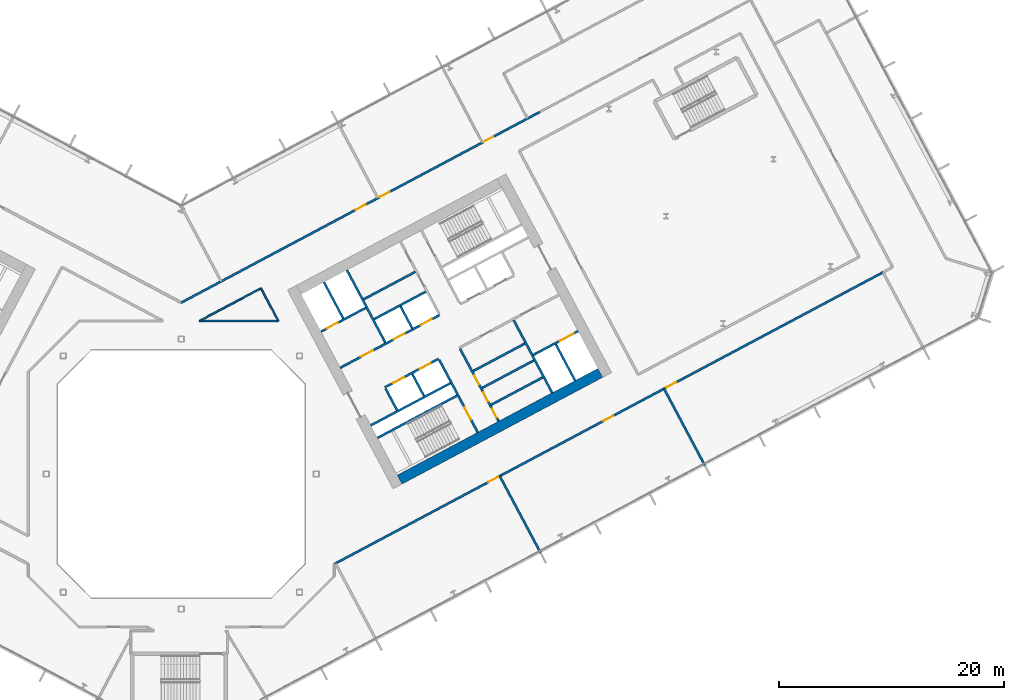
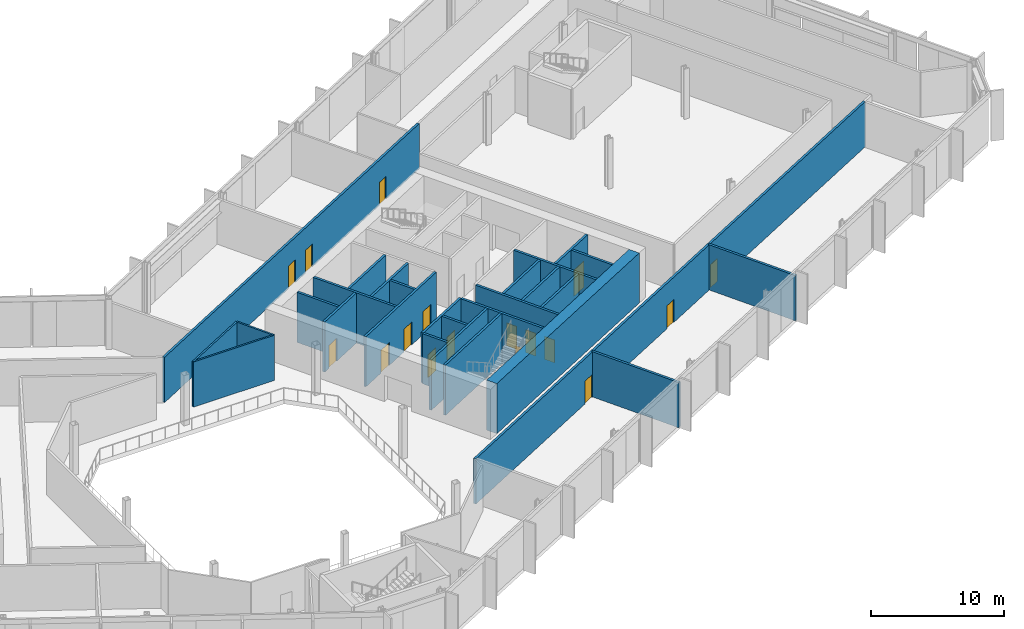
# One storey, part 17 of 31: 28 walls, 17 doors, 17 openings.
"""IFC4 building model written with IfcOpenShell, lengths in metres."""

import ifcopenshell
import ifcopenshell.guid

model = None  # the IFC model being written
_history = None  # IfcOwnerHistory: only IFC2X3 demands one
_inside = {}  # id of a spatial element -> (the spatial element, [elements in it])
_under = {}  # id of a project, library or spatial element -> (it, [spatial elements below it])
_declared = {}  # id of a project -> (the project, [libraries it declares])
_typed = {}  # id of a type object -> (the type object, [elements of that type])
_made_of = {}  # id of a material, layer set ... -> (it, [elements and type objects made of it])


def new_model(schema):
    """Start an empty IFC model of exactly this schema.

    Asked for "IFC4X3", IfcOpenShell would pick the latest addendum, in which some entities
    have other attributes; the version numbers below select the first issue.
    IFC2X3 requires an IfcOwnerHistory on every rooted entity: one is made here for all.
    """
    global model, _history
    if schema == "IFC4X3":
        model = ifcopenshell.file(schema_version=(4, 3, 0, 0))
    else:
        model = ifcopenshell.file(schema=schema)
    _inside.clear()
    _under.clear()
    _declared.clear()
    _typed.clear()
    _made_of.clear()
    _history = None
    if model.schema == "IFC2X3":
        org = make("IfcOrganization", Name="unknown")
        user = make(
            "IfcPersonAndOrganization",
            ThePerson=make("IfcPerson", FamilyName="unknown"),
            TheOrganization=org,
        )
        app = make(
            "IfcApplication",
            ApplicationDeveloper=org,
            Version="unknown",
            ApplicationFullName="unknown",
            ApplicationIdentifier="unknown",
        )
        _history = make(
            "IfcOwnerHistory",
            OwningUser=user,
            OwningApplication=app,
            ChangeAction="ADDED",
            CreationDate=0,
        )
    return model


def make(cls, **values):
    """One entity of the class cls with the attributes given. An attribute that is None is left unset."""
    return model.create_entity(
        cls, **{name: value for name, value in values.items() if value is not None}
    )


def rooted(cls, **values):
    """An entity with a GlobalId (a new one), such as an element, a storey or a relation."""
    return make(cls, GlobalId=ifcopenshell.guid.new(), OwnerHistory=_history, **values)


def si_unit(unit_type, name, prefix=None):
    """IfcSIUnit, for example si_unit("LENGTHUNIT", "METRE", prefix="MILLI")."""
    return make("IfcSIUnit", UnitType=unit_type, Prefix=prefix, Name=name)


def assignment(units):
    """IfcUnitAssignment: the units of a project."""
    return None if units is None else make("IfcUnitAssignment", Units=units)


def point(xyz):
    """IfcCartesianPoint."""
    return None if xyz is None else make("IfcCartesianPoint", Coordinates=xyz)


def direction(xyz):
    """IfcDirection."""
    return None if xyz is None else make("IfcDirection", DirectionRatios=xyz)


def frame(location, z_axis=None, x_axis=None):
    """IfcAxis2Placement3D, a coordinate frame: its origin and axes. An axis left out is left unset."""
    return make(
        "IfcAxis2Placement3D",
        Location=point(location),
        Axis=direction(z_axis),
        RefDirection=direction(x_axis),
    )


def frame_2d(location, x_axis=None):
    """IfcAxis2Placement2D, a coordinate frame in the plane: its origin and x axis."""
    return make(
        "IfcAxis2Placement2D", Location=point(location), RefDirection=direction(x_axis)
    )


def origin():
    """The frame at (0, 0, 0) with its axes left unset."""
    return frame((0.0, 0.0, 0.0))


def place(relative_to, where):
    """IfcLocalPlacement: puts the frame where relative to a parent placement (None: the world)."""
    return make(
        "IfcLocalPlacement", PlacementRelTo=relative_to, RelativePlacement=where
    )


def context(
    kind, dimensions, precision=None, world=None, true_north=None, identifier=None
):
    """IfcGeometricRepresentationContext, for example the 3D "Model" context."""
    return make(
        "IfcGeometricRepresentationContext",
        ContextIdentifier=identifier,
        ContextType=kind,
        CoordinateSpaceDimension=dimensions,
        Precision=precision,
        WorldCoordinateSystem=world,
        TrueNorth=true_north,
    )


def subcontext(parent, identifier, kind, view, scale=None):
    """IfcGeometricRepresentationSubContext, for example "Body" below "Model"."""
    return make(
        "IfcGeometricRepresentationSubContext",
        ContextIdentifier=identifier,
        ContextType=kind,
        ParentContext=parent,
        TargetScale=scale,
        TargetView=view,
    )


def project(units=None, contexts=None):
    """IfcProject with its units and contexts."""
    return rooted(
        "IfcProject",
        Name="project",
        RepresentationContexts=contexts,
        UnitsInContext=assignment(units),
    )


def spatial(cls, under=None, at=None, **own):
    """A site, building, storey or space (cls), placed at a placement, below another one or the project."""
    s = rooted(cls, ObjectPlacement=at, **own)
    if under is not None:
        _under.setdefault(under.id(), (under, []))[1].append(s)
    return s


def profile(cls, at=None, kind="AREA", **sizes):
    """A parametric profile (cls). Its sizes go by their IFC names, for example OverallWidth=200.0."""
    return make(cls, ProfileType=kind, Position=at, **sizes)


def rectangle(**sizes):
    """IfcRectangleProfileDef."""
    return profile("IfcRectangleProfileDef", **sizes)


def extrude(swept, where, along, depth):
    """IfcExtrudedAreaSolid: the profile swept, set in the frame where, extruded along a direction by depth."""
    return make(
        "IfcExtrudedAreaSolid",
        SweptArea=swept,
        Position=where,
        ExtrudedDirection=direction(along),
        Depth=depth,
    )


def shape(context_of_items, identifier, shape_type, items):
    """IfcShapeRepresentation: the items that make up one representation, for example the "Body"."""
    return make(
        "IfcShapeRepresentation",
        ContextOfItems=context_of_items,
        RepresentationIdentifier=identifier,
        RepresentationType=shape_type,
        Items=items,
    )


def material(Name=None, Category=None):
    """IfcMaterial."""
    return make("IfcMaterial", Name=Name, Category=Category)


def layer(
    of_material, thickness, ventilated=None, Name=None, Category=None, Priority=None
):
    """IfcMaterialLayer: one layer of a wall or slab, of a material (None: an air gap)."""
    return make(
        "IfcMaterialLayer",
        Material=of_material,
        LayerThickness=thickness,
        IsVentilated=ventilated,
        Name=Name,
        Category=Category,
        Priority=Priority,
    )


def layer_set(layers, Name=None):
    """IfcMaterialLayerSet."""
    return make("IfcMaterialLayerSet", MaterialLayers=layers, LayerSetName=Name)


def made_of(thing, what):
    """Note that an element or type object is made of a material, layer set ...; save() writes the relation."""
    if what is not None:
        _made_of.setdefault(what.id(), (what, []))[1].append(thing)
    return thing


def type_object(cls, material=None, **own):
    """A type object (cls), such as IfcWallType, which elements share."""
    return made_of(rooted(cls, **own), material)


def element(
    cls,
    number,
    at=None,
    inside=None,
    cuts=None,
    type_object=None,
    material=None,
    context=None,
    identifier="Body",
    shape_type=None,
    held_by="IfcProductDefinitionShape",
    body=None,
    shapes=None,
    **own,
):
    """One element of the class cls, such as IfcWall. Its Tag is "e" and its number.

    at: its placement. inside: the storey or other place that contains it. cuts: it is an
    opening in that element (IfcRelVoidsElement). A single representation is given by context,
    identifier, shape_type and body (its items); several are given by shapes. held_by: the class
    of the entity that holds the representations. save() writes the other relations.
    """
    e = rooted(cls, Tag="e%d" % number, ObjectPlacement=at, **own)
    if body is not None:
        shapes = [shape(context, identifier, shape_type, body)]
    if shapes is not None:
        e.Representation = make(held_by, Representations=shapes)
    if inside is not None:
        _inside.setdefault(inside.id(), (inside, []))[1].append(e)
    if cuts is not None:
        rooted(
            "IfcRelVoidsElement", RelatingBuildingElement=cuts, RelatedOpeningElement=e
        )
    if type_object is not None:
        _typed.setdefault(type_object.id(), (type_object, []))[1].append(e)
    return made_of(e, material)


def fill(opening, filler):
    """IfcRelFillsElement: the door or window that sits in an opening."""
    return rooted(
        "IfcRelFillsElement",
        RelatingOpeningElement=opening,
        RelatedBuildingElement=filler,
    )


def aggregate(whole, parts):
    """IfcRelAggregates: a whole, such as a stair, and the parts it consists of."""
    return rooted("IfcRelAggregates", RelatingObject=whole, RelatedObjects=parts)


def save(model, path):
    """Write the relations noted so far, then the file.

    IfcRelAggregates (storeys below a building ...), IfcRelContainedInSpatialStructure (elements
    in a storey), IfcRelDefinesByType, IfcRelAssociatesMaterial and IfcRelDeclares: one each for
    every whole, place, type object, material and project.
    """
    for whole, parts in _under.values():
        aggregate(whole, parts)
    for where, things in _inside.values():
        rooted(
            "IfcRelContainedInSpatialStructure",
            RelatedElements=things,
            RelatingStructure=where,
        )
    for kind, things in _typed.values():
        rooted("IfcRelDefinesByType", RelatedObjects=things, RelatingType=kind)
    for what, things in _made_of.values():
        rooted("IfcRelAssociatesMaterial", RelatedObjects=things, RelatingMaterial=what)
    for by, libraries in _declared.values():
        rooted("IfcRelDeclares", RelatingContext=by, RelatedDefinitions=libraries)
    model.write(path)


model = new_model("IFC4")

# Units and contexts
model_context = context("Model", 3, precision=1e-05, world=origin(), true_north=direction((0.0, 1.0)))
body_context = subcontext(model_context, "Body", "Model", "MODEL_VIEW")
ifc_project = project(units=[si_unit("LENGTHUNIT", "METRE"), si_unit("AREAUNIT", "SQUARE_METRE"), si_unit("VOLUMEUNIT", "CUBIC_METRE"), si_unit("PLANEANGLEUNIT", "RADIAN"), si_unit("MASSUNIT", "GRAM", prefix="KILO")], contexts=[model_context])

# Site, building, storey
site_placement = place(None, origin())
site = spatial("IfcSite", under=ifc_project, at=site_placement, CompositionType="ELEMENT")
building_placement = place(site_placement, origin())
building = spatial("IfcBuilding", under=site, at=building_placement, Name="Cormorant Relay Tower", CompositionType="ELEMENT")
storey_placement = place(building_placement, frame((0.0, 0.0, 107.60009765625)))
storey = spatial("IfcBuildingStorey", under=building, at=storey_placement, Name="L21", CompositionType="ELEMENT", Elevation=107.60009765625)

# Walls
ifc_material_1 = material(Name="Concrete 40 MPa", Category="concrete")
ifc_layer_1 = layer(ifc_material_1, 0.199951171875)
ifc_layer_set_1 = layer_set([ifc_layer_1], Name="Core internal wall 200")
wall_type_1 = type_object("IfcWallType", Name="Core internal wall 200", PredefinedType="SOLIDWALL", material=ifc_layer_set_1)
for number, where, z_axis, x_axis, name in (
    (1, (21.567626953125, 6.9375, 0.0), (0.0, 0.0, 1.0), (-0.469533832133, 0.882914480843, 0.0), "L21 core B shaft and room wall"),
    (2, (20.522216796875, 12.950439453125, 0.0), (0.0, 0.0, 1.0), (-0.469401318492, 0.882984938828, 0.0), "L21 core B shaft and room wall"),
):
    element("IfcWall", number, at=place(storey_placement, frame(where, z_axis=z_axis, x_axis=x_axis)), inside=storey, type_object=wall_type_1, Name=name, PredefinedType="SOLIDWALL", context=body_context, shape_type="SweptSolid", body=[
        extrude(rectangle(XDim=2.199951171875, YDim=0.199951171875, at=frame_2d((1.10009765625, 0.0))), origin(), (0.0, 0.0, 1.0), 4.599853515625),
    ])
for number, where, z_axis, x_axis, name in (
    (3, (27.537109375, 6.1474609375, 0.0), (0.0, 0.0, 1.0), (0.882934506056, 0.469496174655, 0.0), "L21 core B shaft and room wall"),
    (4, (26.739013671875, 7.6484375, 0.0), (0.0, 0.0, 1.0), (0.882934506056, 0.469496174655, 0.0), "L21 core B shaft and room wall"),
    (5, (16.2080078125, 15.526611328125, 0.0), (0.0, 0.0, 1.0), (0.882953967957, 0.469459572775, 0.0), "L21 core B shaft and room wall"),
):
    element("IfcWall", number, at=place(storey_placement, frame(where, z_axis=z_axis, x_axis=x_axis)), inside=storey, type_object=wall_type_1, Name=name, PredefinedType="SOLIDWALL", context=body_context, shape_type="SweptSolid", body=[
        extrude(rectangle(XDim=5.199951171875, YDim=0.199951171875, at=frame_2d((2.60009765625, 0.0))), origin(), (0.0, 0.0, 1.0), 4.599853515625),
    ])
ifc_material_2 = material(Name="Concrete 50 MPa", Category="concrete")
ifc_layer_2 = layer(ifc_material_2, 0.199951171875)
ifc_layer_set_2 = layer_set([ifc_layer_2], Name="Core shaft wall 200")
wall_type_2 = type_object("IfcWallType", Name="Core shaft wall 200", PredefinedType="SHEAR", material=ifc_layer_set_2)
wall_1_placement = place(storey_placement, frame((14.39404296875, 13.825927734375, 0.0), z_axis=(0.0, 0.0, 1.0), x_axis=(-0.469494272526, 0.882935517501, 0.0)))
element("IfcWall", 6, at=wall_1_placement, inside=storey, type_object=wall_type_2, Name="L21 core B shaft wall", PredefinedType="SHEAR", context=body_context, shape_type="SweptSolid", body=[
    extrude(rectangle(XDim=3.64990234375, YDim=0.199951171875, at=frame_2d((1.824951171875, 0.0))), origin(), (0.0, 0.0, 1.0), 4.599853515625),
])
wall_2_placement = place(storey_placement, frame((19.18359375, 5.669921875, 0.0), z_axis=(0.0, 0.0, 1.0), x_axis=(-0.4694473164, 0.882960484464, 0.0)))
element("IfcWall", 7, at=wall_2_placement, inside=storey, type_object=wall_type_2, Name="L21 core B shaft wall", PredefinedType="SHEAR", context=body_context, shape_type="SweptSolid", body=[
    extrude(rectangle(XDim=2.199951171875, YDim=0.199951171875, at=frame_2d((1.10009765625, 0.0))), origin(), (0.0, 0.0, 1.0), 4.599853515625),
])
wall_3_placement = place(storey_placement, frame((18.138427734375, 11.682861328125, 0.0), z_axis=(0.0, 0.0, 1.0), x_axis=(-0.469480409012, 0.88294288918, 0.0)))
element("IfcWall", 8, at=wall_3_placement, inside=storey, type_object=wall_type_2, Name="L21 core B shaft wall", PredefinedType="SHEAR", context=body_context, shape_type="SweptSolid", body=[
    extrude(rectangle(XDim=7.300048828125, YDim=0.199951171875, at=frame_2d((3.64990234375, 0.0))), origin(), (0.0, 0.0, 1.0), 4.599853515625),
])

# Wall, opening, door
wall_4_placement = place(storey_placement, frame((26.345947265625, 3.701904296875, 0.0), z_axis=(0.0, 0.0, 1.0), x_axis=(-0.469480409012, 0.88294288918, 0.0)))
wall_4 = element("IfcWall", 9, at=wall_4_placement, inside=storey, type_object=wall_type_2, Name="L21 core B shaft wall", PredefinedType="SHEAR", context=body_context, shape_type="SweptSolid", body=[
    extrude(rectangle(XDim=7.300048828125, YDim=0.199951171875, at=frame_2d((3.64990234375, 0.0))), origin(), (0.0, 0.0, 1.0), 4.599853515625),
])
opening_1_placement = place(wall_4_placement, frame((1.300048828125, 0.0, 0.0)))
opening_1 = element("IfcOpeningElement", 10, at=opening_1_placement, cuts=wall_4, Name="Opening CDB-026", PredefinedType="OPENING", context=body_context, shape_type="SweptSolid", body=[
    extrude(rectangle(XDim=1.199951171875, YDim=2.10009765625, at=frame_2d((0.60009765625, 1.050048828125))), frame((0.0, 0.10986328125, 0.0), z_axis=(0.0, -1.0, 0.0), x_axis=(1.0, 0.0, 0.0)), (0.0, 0.0, 1.0), 0.219970703125),
])
ifc_material_3 = material(Name="Steel fire door", Category="steel")
door_type_1 = type_object("IfcDoorType", Name="Core stair door 1200x2100", OperationType="SINGLE_SWING_LEFT", PredefinedType="DOOR", material=ifc_material_3)
door_1_placement = place(opening_1_placement, origin())
door_1 = element("IfcDoor", 11, at=door_1_placement, inside=storey, type_object=door_type_1, Name="Core stair door 1200x2100", OperationType="SINGLE_SWING_RIGHT", OverallHeight=2.10009765625, OverallWidth=1.199951171875, PredefinedType="DOOR", context=body_context, shape_type="SweptSolid", body=[
    extrude(rectangle(XDim=1.199951171875, YDim=2.10009765625, at=frame_2d((0.60009765625, 1.050048828125))), frame((0.0, 0.02490234375, 0.0), z_axis=(0.0, -1.0, 0.0), x_axis=(1.0, 0.0, 0.0)), (0.0, 0.0, 1.0), 0.050048828125),
])
fill(opening_1, door_1)

# Wall, openings, doors
wall_5_placement = place(storey_placement, frame((28.199951171875, 4.687744140625, 0.0), z_axis=(0.0, 0.0, 1.0), x_axis=(-0.469454336211, 0.882956752176, 0.0)))
wall_5 = element("IfcWall", 12, at=wall_5_placement, inside=storey, type_object=wall_type_2, Name="L21 core B shaft wall", PredefinedType="SHEAR", context=body_context, shape_type="SweptSolid", body=[
    extrude(rectangle(XDim=7.300048828125, YDim=0.199951171875, at=frame_2d((3.64990234375, 0.0))), origin(), (0.0, 0.0, 1.0), 4.599853515625),
])
opening_2_placement = place(wall_5_placement, frame((0.35009765625, 0.0, 0.0)))
opening_2 = element("IfcOpeningElement", 13, at=opening_2_placement, cuts=wall_5, Name="Opening CDD-149", PredefinedType="OPENING", context=body_context, shape_type="SweptSolid", body=[
    extrude(rectangle(XDim=0.89990234375, YDim=2.10009765625, at=frame_2d((0.449951171875, 1.050048828125))), frame((0.0, 0.10986328125, 0.0), z_axis=(0.0, -1.0, 0.0), x_axis=(1.0, 0.0, 0.0)), (0.0, 0.0, 1.0), 0.219970703125),
])
opening_3_placement = place(wall_5_placement, frame((2.0, 0.0, 0.0)))
opening_3 = element("IfcOpeningElement", 14, at=opening_3_placement, cuts=wall_5, Name="Opening CDD-150", PredefinedType="OPENING", context=body_context, shape_type="SweptSolid", body=[
    extrude(rectangle(XDim=0.89990234375, YDim=2.10009765625, at=frame_2d((0.449951171875, 1.050048828125))), frame((0.0, 0.10986328125, 0.0), z_axis=(0.0, -1.0, 0.0), x_axis=(1.0, 0.0, 0.0)), (0.0, 0.0, 1.0), 0.219970703125),
])
opening_4_placement = place(wall_5_placement, frame((3.699951171875, 0.0, 0.0)))
opening_4 = element("IfcOpeningElement", 15, at=opening_4_placement, cuts=wall_5, Name="Opening CDD-151", PredefinedType="OPENING", context=body_context, shape_type="SweptSolid", body=[
    extrude(rectangle(XDim=0.89990234375, YDim=2.10009765625, at=frame_2d((0.449951171875, 1.050048828125))), frame((0.0, 0.10986328125, 0.0), z_axis=(0.0, -1.0, 0.0), x_axis=(1.0, 0.0, 0.0)), (0.0, 0.0, 1.0), 0.219970703125),
])
ifc_material_4 = material(Name="Steel fire door", Category="steel")
door_type_2 = type_object("IfcDoorType", Name="Core room door 900x2100", OperationType="SINGLE_SWING_LEFT", PredefinedType="DOOR", material=ifc_material_4)
door_2_placement = place(opening_2_placement, frame((0.89990234375, 0.0, 0.0), z_axis=(0.0, 0.0, 1.0), x_axis=(-1.0, 0.0, 0.0)))
door_2 = element("IfcDoor", 16, at=door_2_placement, inside=storey, type_object=door_type_2, Name="Core room door 900x2100", OperationType="SINGLE_SWING_LEFT", OverallHeight=2.10009765625, OverallWidth=0.89990234375, PredefinedType="DOOR", context=body_context, shape_type="SweptSolid", body=[
    extrude(rectangle(XDim=0.89990234375, YDim=2.10009765625, at=frame_2d((0.449951171875, 1.050048828125))), frame((0.0, 0.02490234375, 0.0), z_axis=(0.0, -1.0, 0.0), x_axis=(1.0, 0.0, 0.0)), (0.0, 0.0, 1.0), 0.050048828125),
])
fill(opening_2, door_2)
door_3_placement = place(opening_3_placement, frame((0.89990234375, 0.0, 0.0), z_axis=(0.0, 0.0, 1.0), x_axis=(-1.0, 0.0, 0.0)))
door_3 = element("IfcDoor", 17, at=door_3_placement, inside=storey, type_object=door_type_2, Name="Core room door 900x2100", OperationType="SINGLE_SWING_LEFT", OverallHeight=2.10009765625, OverallWidth=0.89990234375, PredefinedType="DOOR", context=body_context, shape_type="SweptSolid", body=[
    extrude(rectangle(XDim=0.89990234375, YDim=2.10009765625, at=frame_2d((0.449951171875, 1.050048828125))), frame((0.0, 0.02490234375, 0.0), z_axis=(0.0, -1.0, 0.0), x_axis=(1.0, 0.0, 0.0)), (0.0, 0.0, 1.0), 0.050048828125),
])
fill(opening_3, door_3)
door_4_placement = place(opening_4_placement, frame((0.89990234375, 0.0, 0.0), z_axis=(0.0, 0.0, 1.0), x_axis=(-1.0, 0.0, 0.0)))
door_4 = element("IfcDoor", 18, at=door_4_placement, inside=storey, type_object=door_type_2, Name="Core room door 900x2100", OperationType="SINGLE_SWING_LEFT", OverallHeight=2.10009765625, OverallWidth=0.89990234375, PredefinedType="DOOR", context=body_context, shape_type="SweptSolid", body=[
    extrude(rectangle(XDim=0.89990234375, YDim=2.10009765625, at=frame_2d((0.449951171875, 1.050048828125))), frame((0.0, 0.02490234375, 0.0), z_axis=(0.0, -1.0, 0.0), x_axis=(1.0, 0.0, 0.0)), (0.0, 0.0, 1.0), 0.050048828125),
])
fill(opening_4, door_4)

# Walls
wall_6_placement = place(storey_placement, frame((32.968017578125, 7.222900390625, 0.0), z_axis=(0.0, 0.0, 1.0), x_axis=(-0.469480409012, 0.88294288918, 0.0)))
element("IfcWall", 19, at=wall_6_placement, inside=storey, type_object=wall_type_2, Name="L21 core B shaft wall", PredefinedType="SHEAR", context=body_context, shape_type="SweptSolid", body=[
    extrude(rectangle(XDim=7.300048828125, YDim=0.199951171875, at=frame_2d((3.64990234375, 0.0))), origin(), (0.0, 0.0, 1.0), 4.599853515625),
])
wall_7_placement = place(storey_placement, frame((34.998779296875, 8.302734375, 0.0), z_axis=(0.0, 0.0, 1.0), x_axis=(-0.4694665462, 0.882950260207, 0.0)))
element("IfcWall", 20, at=wall_7_placement, inside=storey, type_object=wall_type_2, Name="L21 core B shaft wall", PredefinedType="SHEAR", context=body_context, shape_type="SweptSolid", body=[
    extrude(rectangle(XDim=3.650146484375, YDim=0.199951171875, at=frame_2d((1.8251953125, 0.0))), origin(), (0.0, 0.0, 1.0), 4.599853515625),
])
wall_8_placement = place(storey_placement, frame((17.43359375, 3.210205078125, 0.0), z_axis=(0.0, 0.0, 1.0), x_axis=(0.882940221191, 0.469485426614, 0.0)))
element("IfcWall", 21, at=wall_8_placement, inside=storey, type_object=wall_type_2, Name="L21 core B shaft wall", PredefinedType="SHEAR", context=body_context, shape_type="SweptSolid", body=[
    extrude(rectangle(XDim=8.0, YDim=0.199951171875, at=frame_2d((4.0, 0.0))), origin(), (0.0, 0.0, 1.0), 4.599853515625),
])

# Wall, opening, door
wall_9_placement = place(storey_placement, frame((31.295654296875, 10.5810546875, 0.0), z_axis=(0.0, 0.0, 1.0), x_axis=(0.882960433586, 0.469447412093, 0.0)))
wall_9 = element("IfcWall", 22, at=wall_9_placement, inside=storey, type_object=wall_type_2, Name="L21 core B shaft wall", PredefinedType="SHEAR", context=body_context, shape_type="SweptSolid", body=[
    extrude(rectangle(XDim=4.5, YDim=0.199951171875, at=frame_2d((2.25, 0.0))), origin(), (0.0, 0.0, 1.0), 4.599853515625),
])
opening_5_placement = place(wall_9_placement, frame((2.64990234375, 0.0, 0.0)))
opening_5 = element("IfcOpeningElement", 23, at=opening_5_placement, cuts=wall_9, Name="Opening LD3-010", PredefinedType="OPENING", context=body_context, shape_type="SweptSolid", body=[
    extrude(rectangle(XDim=1.39990234375, YDim=2.39990234375, at=frame_2d((0.699951171875, 1.199951171875))), frame((0.0, 0.10986328125, 0.0), z_axis=(0.0, -1.0, 0.0), x_axis=(1.0, 0.0, 0.0)), (0.0, 0.0, 1.0), 0.219970703125),
])
ifc_material_5 = material(Name="Stainless steel 316", Category="steel")
door_type_3 = type_object("IfcDoorType", Name="Lift landing door 1400x2400", OperationType="DOUBLE_DOOR_SLIDING", PredefinedType="DOOR", material=ifc_material_5)
door_5_placement = place(opening_5_placement, origin())
door_5 = element("IfcDoor", 24, at=door_5_placement, inside=storey, type_object=door_type_3, Name="SV2 landing door", OperationType="DOUBLE_DOOR_SLIDING", OverallHeight=2.39990234375, OverallWidth=1.39990234375, PredefinedType="DOOR", context=body_context, shape_type="SweptSolid", body=[
    extrude(rectangle(XDim=1.39990234375, YDim=2.39990234375, at=frame_2d((0.699951171875, 1.199951171875))), frame((0.0, 0.02490234375, 0.0), z_axis=(0.0, -1.0, 0.0), x_axis=(1.0, 0.0, 0.0)), (0.0, 0.0, 1.0), 0.050048828125),
])
fill(opening_5, door_5)

# Walls
wall_10_placement = place(storey_placement, frame((16.8466796875, 4.31396484375, 0.0), z_axis=(0.0, 0.0, 1.0), x_axis=(0.882940221191, 0.469485426614, 0.0)))
element("IfcWall", 25, at=wall_10_placement, inside=storey, type_object=wall_type_2, Name="L21 core B shaft wall", PredefinedType="SHEAR", context=body_context, shape_type="SweptSolid", body=[
    extrude(rectangle(XDim=8.0, YDim=0.199951171875, at=frame_2d((4.0, 0.0))), origin(), (0.0, 0.0, 1.0), 4.599853515625),
])
wall_11_placement = place(storey_placement, frame((25.94091796875, 9.149658203125, 0.0), z_axis=(0.0, 0.0, 1.0), x_axis=(0.882953967957, 0.469459572775, 0.0)))
element("IfcWall", 26, at=wall_11_placement, inside=storey, type_object=wall_type_2, Name="L21 core B shaft wall", PredefinedType="SHEAR", context=body_context, shape_type="SweptSolid", body=[
    extrude(rectangle(XDim=5.199951171875, YDim=0.199951171875, at=frame_2d((2.60009765625, 0.0))), origin(), (0.0, 0.0, 1.0), 4.599853515625),
])

# Wall, openings, doors
wall_12_placement = place(storey_placement, frame((18.103759765625, 7.70068359375, 0.0), z_axis=(0.0, 0.0, 1.0), x_axis=(0.882952937579, 0.469461510692, 0.0)))
wall_12 = element("IfcWall", 27, at=wall_12_placement, inside=storey, type_object=wall_type_2, Name="L21 core B shaft wall", PredefinedType="SHEAR", context=body_context, shape_type="SweptSolid", body=[
    extrude(rectangle(XDim=5.400146484375, YDim=0.199951171875, at=frame_2d((2.7001953125, 0.0))), origin(), (0.0, 0.0, 1.0), 4.599853515625),
])
opening_6_placement = place(wall_12_placement, frame((0.800048828125, 0.0, 0.0)))
opening_6 = element("IfcOpeningElement", 28, at=opening_6_placement, cuts=wall_12, Name="Opening LD1-032", PredefinedType="OPENING", context=body_context, shape_type="SweptSolid", body=[
    extrude(rectangle(XDim=1.10009765625, YDim=2.10009765625, at=frame_2d((0.550048828125, 1.050048828125))), frame((0.0, 0.10986328125, 0.0), z_axis=(0.0, -1.0, 0.0), x_axis=(1.0, 0.0, 0.0)), (0.0, 0.0, 1.0), 0.219970703125),
])
opening_7_placement = place(wall_12_placement, frame((3.5, 0.0, 0.0)))
opening_7 = element("IfcOpeningElement", 29, at=opening_7_placement, cuts=wall_12, Name="Opening LD1-033", PredefinedType="OPENING", context=body_context, shape_type="SweptSolid", body=[
    extrude(rectangle(XDim=1.10009765625, YDim=2.10009765625, at=frame_2d((0.550048828125, 1.050048828125))), frame((0.0, 0.10986328125, 0.0), z_axis=(0.0, -1.0, 0.0), x_axis=(1.0, 0.0, 0.0)), (0.0, 0.0, 1.0), 0.219970703125),
])
ifc_material_6 = material(Name="Stainless steel 316", Category="steel")
door_type_4 = type_object("IfcDoorType", Name="Lift landing door 1100x2100", OperationType="DOUBLE_DOOR_SLIDING", PredefinedType="DOOR", material=ifc_material_6)
door_6_placement = place(opening_6_placement, origin())
door_6 = element("IfcDoor", 30, at=door_6_placement, inside=storey, type_object=door_type_4, Name="LR5 landing door", OperationType="DOUBLE_DOOR_SLIDING", OverallHeight=2.10009765625, OverallWidth=1.10009765625, PredefinedType="DOOR", context=body_context, shape_type="SweptSolid", body=[
    extrude(rectangle(XDim=1.10009765625, YDim=2.10009765625, at=frame_2d((0.550048828125, 1.050048828125))), frame((0.0, 0.02490234375, 0.0), z_axis=(0.0, -1.0, 0.0), x_axis=(1.0, 0.0, 0.0)), (0.0, 0.0, 1.0), 0.050048828125),
])
fill(opening_6, door_6)
door_7_placement = place(opening_7_placement, origin())
door_7 = element("IfcDoor", 31, at=door_7_placement, inside=storey, type_object=door_type_4, Name="LR6 landing door", OperationType="DOUBLE_DOOR_SLIDING", OverallHeight=2.10009765625, OverallWidth=1.10009765625, PredefinedType="DOOR", context=body_context, shape_type="SweptSolid", body=[
    extrude(rectangle(XDim=1.10009765625, YDim=2.10009765625, at=frame_2d((0.550048828125, 1.050048828125))), frame((0.0, 0.02490234375, 0.0), z_axis=(0.0, -1.0, 0.0), x_axis=(1.0, 0.0, 0.0)), (0.0, 0.0, 1.0), 0.050048828125),
])
fill(opening_7, door_7)

wall_13_placement = place(storey_placement, frame((14.123779296875, 9.43505859375, 0.0), z_axis=(0.0, 0.0, 1.0), x_axis=(0.882940221191, 0.469485426614, 0.0)))
wall_13 = element("IfcWall", 32, at=wall_13_placement, inside=storey, type_object=wall_type_2, Name="L21 core B shaft wall", PredefinedType="SHEAR", context=body_context, shape_type="SweptSolid", body=[
    extrude(rectangle(XDim=10.0, YDim=0.199951171875, at=frame_2d((5.0, 0.0))), origin(), (0.0, 0.0, 1.0), 4.599853515625),
])
opening_8_placement = place(wall_13_placement, frame((2.10009765625, 0.0, 0.0)))
opening_8 = element("IfcOpeningElement", 33, at=opening_8_placement, cuts=wall_13, Name="Opening CDC-019", PredefinedType="OPENING", context=body_context, shape_type="SweptSolid", body=[
    extrude(rectangle(XDim=1.199951171875, YDim=2.10009765625, at=frame_2d((0.60009765625, 1.050048828125))), frame((0.0, 0.10986328125, 0.0), z_axis=(0.0, -1.0, 0.0), x_axis=(1.0, 0.0, 0.0)), (0.0, 0.0, 1.0), 0.219970703125),
])
opening_9_placement = place(wall_13_placement, frame((5.39990234375, 0.0, 0.0)))
opening_9 = element("IfcOpeningElement", 34, at=opening_9_placement, cuts=wall_13, Name="Opening LD1-028", PredefinedType="OPENING", context=body_context, shape_type="SweptSolid", body=[
    extrude(rectangle(XDim=1.10009765625, YDim=2.10009765625, at=frame_2d((0.550048828125, 1.050048828125))), frame((0.0, 0.10986328125, 0.0), z_axis=(0.0, -1.0, 0.0), x_axis=(1.0, 0.0, 0.0)), (0.0, 0.0, 1.0), 0.219970703125),
])
opening_10_placement = place(wall_13_placement, frame((8.10009765625, 0.0, 0.0)))
opening_10 = element("IfcOpeningElement", 35, at=opening_10_placement, cuts=wall_13, Name="Opening LD1-029", PredefinedType="OPENING", context=body_context, shape_type="SweptSolid", body=[
    extrude(rectangle(XDim=1.10009765625, YDim=2.10009765625, at=frame_2d((0.550048828125, 1.050048828125))), frame((0.0, 0.10986328125, 0.0), z_axis=(0.0, -1.0, 0.0), x_axis=(1.0, 0.0, 0.0)), (0.0, 0.0, 1.0), 0.219970703125),
])
ifc_material_7 = material(Name="Steel fire door", Category="steel")
door_type_5 = type_object("IfcDoorType", Name="Core lobby door 1200x2100", OperationType="SINGLE_SWING_LEFT", PredefinedType="DOOR", material=ifc_material_7)
door_8_placement = place(opening_8_placement, origin())
door_8 = element("IfcDoor", 36, at=door_8_placement, inside=storey, type_object=door_type_5, Name="Core lobby door 1200x2100", OperationType="SINGLE_SWING_RIGHT", OverallHeight=2.10009765625, OverallWidth=1.199951171875, PredefinedType="DOOR", context=body_context, shape_type="SweptSolid", body=[
    extrude(rectangle(XDim=1.199951171875, YDim=2.10009765625, at=frame_2d((0.60009765625, 1.050048828125))), frame((0.0, 0.02490234375, 0.0), z_axis=(0.0, -1.0, 0.0), x_axis=(1.0, 0.0, 0.0)), (0.0, 0.0, 1.0), 0.050048828125),
])
fill(opening_8, door_8)
door_9_placement = place(opening_9_placement, origin())
door_9 = element("IfcDoor", 37, at=door_9_placement, inside=storey, type_object=door_type_4, Name="LR1 landing door", OperationType="DOUBLE_DOOR_SLIDING", OverallHeight=2.10009765625, OverallWidth=1.10009765625, PredefinedType="DOOR", context=body_context, shape_type="SweptSolid", body=[
    extrude(rectangle(XDim=1.10009765625, YDim=2.10009765625, at=frame_2d((0.550048828125, 1.050048828125))), frame((0.0, 0.02490234375, 0.0), z_axis=(0.0, -1.0, 0.0), x_axis=(1.0, 0.0, 0.0)), (0.0, 0.0, 1.0), 0.050048828125),
])
fill(opening_9, door_9)
door_10_placement = place(opening_10_placement, origin())
door_10 = element("IfcDoor", 38, at=door_10_placement, inside=storey, type_object=door_type_4, Name="LR2 landing door", OperationType="DOUBLE_DOOR_SLIDING", OverallHeight=2.10009765625, OverallWidth=1.10009765625, PredefinedType="DOOR", context=body_context, shape_type="SweptSolid", body=[
    extrude(rectangle(XDim=1.10009765625, YDim=2.10009765625, at=frame_2d((0.550048828125, 1.050048828125))), frame((0.0, 0.02490234375, 0.0), z_axis=(0.0, -1.0, 0.0), x_axis=(1.0, 0.0, 0.0)), (0.0, 0.0, 1.0), 0.050048828125),
])
fill(opening_10, door_10)

# Wall
wall_14_placement = place(storey_placement, frame((17.146728515625, 13.7607421875, 0.0), z_axis=(0.0, 0.0, 1.0), x_axis=(0.882964314875, 0.469440111896, 0.0)))
element("IfcWall", 39, at=wall_14_placement, inside=storey, type_object=wall_type_2, Name="L21 core B shaft wall", PredefinedType="SHEAR", context=body_context, shape_type="SweptSolid", body=[
    extrude(rectangle(XDim=5.2001953125, YDim=0.199951171875, at=frame_2d((2.60009765625, 0.0))), origin(), (0.0, 0.0, 1.0), 4.599853515625),
])

# Wall, opening, door
wall_15_placement = place(storey_placement, frame((12.41015625, 12.657958984375, 0.0), z_axis=(0.0, 0.0, 1.0), x_axis=(0.8829484765, 0.469469900894, 0.0)))
wall_15 = element("IfcWall", 40, at=wall_15_placement, inside=storey, type_object=wall_type_2, Name="L21 core B shaft wall", PredefinedType="SHEAR", context=body_context, shape_type="SweptSolid", body=[
    extrude(rectangle(XDim=4.499755859375, YDim=0.199951171875, at=frame_2d((2.25, 0.0))), origin(), (0.0, 0.0, 1.0), 4.599853515625),
])
opening_11_placement = place(wall_15_placement, frame((0.60009765625, 0.0, 0.0)))
opening_11 = element("IfcOpeningElement", 41, at=opening_11_placement, cuts=wall_15, Name="Opening LD1-034", PredefinedType="OPENING", context=body_context, shape_type="SweptSolid", body=[
    extrude(rectangle(XDim=1.10009765625, YDim=2.10009765625, at=frame_2d((0.550048828125, 1.050048828125))), frame((0.0, 0.10986328125, 0.0), z_axis=(0.0, -1.0, 0.0), x_axis=(1.0, 0.0, 0.0)), (0.0, 0.0, 1.0), 0.219970703125),
])
door_11_placement = place(opening_11_placement, origin())
door_11 = element("IfcDoor", 42, at=door_11_placement, inside=storey, type_object=door_type_4, Name="FF2 landing door", OperationType="DOUBLE_DOOR_SLIDING", OverallHeight=2.10009765625, OverallWidth=1.10009765625, PredefinedType="DOOR", context=body_context, shape_type="SweptSolid", body=[
    extrude(rectangle(XDim=1.10009765625, YDim=2.10009765625, at=frame_2d((0.550048828125, 1.050048828125))), frame((0.0, 0.02490234375, 0.0), z_axis=(0.0, -1.0, 0.0), x_axis=(1.0, 0.0, 0.0)), (0.0, 0.0, 1.0), 0.050048828125),
])
fill(opening_11, door_11)

# Wall
ifc_material_8 = material(Name="Concrete 70 MPa", Category="concrete")
ifc_layer_3 = layer(ifc_material_8, 0.89990234375)
ifc_layer_set_3 = layer_set([ifc_layer_3], Name="Core wall 900")
wall_type_3 = type_object("IfcWallType", Name="Core wall 900", PredefinedType="SHEAR", material=ifc_layer_set_3)
wall_16_placement = place(storey_placement, frame((19.4052734375, -0.498046875, 0.0), z_axis=(0.0, 0.0, 1.0), x_axis=(0.88294509198, 0.469476266226, 0.0)))
element("IfcWall", 43, at=wall_16_placement, inside=storey, type_object=wall_type_3, Name="L21 core B wall", PredefinedType="SHEAR", context=body_context, shape_type="SweptSolid", body=[
    extrude(rectangle(XDim=20.199951171875, YDim=0.89990234375, at=frame_2d((10.10009765625, 0.0))), origin(), (0.0, 0.0, 1.0), 4.599853515625),
])

# Wall, openings, doors
ifc_material_9 = material(Name="Fire-rated gypsum board partition")
ifc_layer_4 = layer(ifc_material_9, 0.199951171875)
ifc_layer_set_4 = layer_set([ifc_layer_4], Name="Fire-rated gypsum partition 200")
wall_type_4 = type_object("IfcWallType", Name="Fire-rated gypsum partition 200", PredefinedType="PARTITIONING", material=ifc_layer_set_4)
wall_17_placement = place(storey_placement, frame((0.0, 15.23291015625, 0.0), z_axis=(0.0, 0.0, 1.0), x_axis=(0.882948052406, 0.469470698502, 0.0)))
wall_17 = element("IfcWall", 44, at=wall_17_placement, inside=storey, type_object=wall_type_4, Name="wall/L21/part/33", PredefinedType="PARTITIONING", context=body_context, shape_type="SweptSolid", body=[
    extrude(rectangle(XDim=36.115234375, YDim=0.199951171875, at=frame_2d((18.0576171875, 0.0))), origin(), (0.0, 0.0, 1.0), 4.14990234375),
])
opening_12_placement = place(wall_17_placement, frame((30.449951171875, 0.0, 0.0)))
opening_12 = element("IfcOpeningElement", 45, at=opening_12_placement, cuts=wall_17, Name="Opening D2-015", PredefinedType="OPENING", context=body_context, shape_type="SweptSolid", body=[
    extrude(rectangle(XDim=0.949951171875, YDim=2.10009765625, at=frame_2d((0.47509765625, 1.050048828125))), frame((0.0, 0.10986328125, 0.0), z_axis=(0.0, -1.0, 0.0), x_axis=(1.0, 0.0, 0.0)), (0.0, 0.0, 1.0), 0.219970703125),
])
opening_13_placement = place(wall_17_placement, frame((19.949951171875, 0.0, 0.0)))
opening_13 = element("IfcOpeningElement", 46, at=opening_13_placement, cuts=wall_17, Name="Opening FD1-116", PredefinedType="OPENING", context=body_context, shape_type="SweptSolid", body=[
    extrude(rectangle(XDim=1.0, YDim=2.10009765625, at=frame_2d((0.5, 1.050048828125))), frame((0.0, 0.10986328125, 0.0), z_axis=(0.0, -1.0, 0.0), x_axis=(1.0, 0.0, 0.0)), (0.0, 0.0, 1.0), 0.219970703125),
])
opening_14_placement = place(wall_17_placement, frame((17.550048828125, 0.0, 0.0)))
opening_14 = element("IfcOpeningElement", 47, at=opening_14_placement, cuts=wall_17, Name="Opening FD1-117", PredefinedType="OPENING", context=body_context, shape_type="SweptSolid", body=[
    extrude(rectangle(XDim=1.0, YDim=2.10009765625, at=frame_2d((0.5, 1.050048828125))), frame((0.0, 0.10986328125, 0.0), z_axis=(0.0, -1.0, 0.0), x_axis=(1.0, 0.0, 0.0)), (0.0, 0.0, 1.0), 0.219970703125),
])
ifc_material_10 = material(Name="Fire-rated steel door", Category="steel")
door_type_6 = type_object("IfcDoorType", Name="Fire door 1000 x 2100", OperationType="SINGLE_SWING_LEFT", PredefinedType="DOOR", material=ifc_material_10)
door_12_placement = place(opening_13_placement, origin())
door_12 = element("IfcDoor", 48, at=door_12_placement, inside=storey, type_object=door_type_6, Name="door/L21/10", OperationType="SINGLE_SWING_LEFT", OverallHeight=2.10009765625, OverallWidth=1.0, PredefinedType="DOOR", context=body_context, shape_type="SweptSolid", body=[
    extrude(rectangle(XDim=1.0, YDim=2.10009765625, at=frame_2d((0.5, 1.050048828125))), frame((0.0, 0.02490234375, 0.0), z_axis=(0.0, -1.0, 0.0), x_axis=(1.0, 0.0, 0.0)), (0.0, 0.0, 1.0), 0.050048828125),
])
fill(opening_13, door_12)
door_13_placement = place(opening_14_placement, origin())
door_13 = element("IfcDoor", 49, at=door_13_placement, inside=storey, type_object=door_type_6, Name="door/L21/11", OperationType="SINGLE_SWING_RIGHT", OverallHeight=2.10009765625, OverallWidth=1.0, PredefinedType="DOOR", context=body_context, shape_type="SweptSolid", body=[
    extrude(rectangle(XDim=1.0, YDim=2.10009765625, at=frame_2d((0.5, 1.050048828125))), frame((0.0, 0.02490234375, 0.0), z_axis=(0.0, -1.0, 0.0), x_axis=(1.0, 0.0, 0.0)), (0.0, 0.0, 1.0), 0.050048828125),
])
fill(opening_14, door_13)
ifc_material_11 = material(Name="Timber door", Category="wood")
door_type_7 = type_object("IfcDoorType", Name="Toilet door 950 x 2100", OperationType="SINGLE_SWING_LEFT", PredefinedType="DOOR", material=ifc_material_11)
door_14_placement = place(opening_12_placement, origin())
door_14 = element("IfcDoor", 50, at=door_14_placement, inside=storey, type_object=door_type_7, Name="door/L21/9", OperationType="SINGLE_SWING_LEFT", OverallHeight=2.10009765625, OverallWidth=0.949951171875, PredefinedType="DOOR", context=body_context, shape_type="SweptSolid", body=[
    extrude(rectangle(XDim=0.949951171875, YDim=2.10009765625, at=frame_2d((0.47509765625, 1.050048828125))), frame((0.0, 0.02490234375, 0.0), z_axis=(0.0, -1.0, 0.0), x_axis=(1.0, 0.0, 0.0)), (0.0, 0.0, 1.0), 0.050048828125),
])
fill(opening_12, door_14)

wall_18_placement = place(storey_placement, frame((62.3720703125, 17.929931640625, 0.0), z_axis=(0.0, 0.0, 1.0), x_axis=(-0.88295234377, -0.469462627513, 0.0)))
wall_18 = element("IfcWall", 51, at=wall_18_placement, inside=storey, type_object=wall_type_4, Name="wall/L21/part/49", PredefinedType="PARTITIONING", context=body_context, shape_type="SweptSolid", body=[
    extrude(rectangle(XDim=55.2373046875, YDim=0.199951171875, at=frame_2d((27.61865234375, 0.0))), origin(), (0.0, 0.0, 1.0), 4.14990234375),
])
opening_15_placement = place(wall_18_placement, frame((38.75, 0.0, 0.0)))
opening_15 = element("IfcOpeningElement", 52, at=opening_15_placement, cuts=wall_18, Name="Opening FD1-124", PredefinedType="OPENING", context=body_context, shape_type="SweptSolid", body=[
    extrude(rectangle(XDim=1.0, YDim=2.10009765625, at=frame_2d((0.5, 1.050048828125))), frame((0.0, 0.10986328125, 0.0), z_axis=(0.0, -1.0, 0.0), x_axis=(1.0, 0.0, 0.0)), (0.0, 0.0, 1.0), 0.219970703125),
])
opening_16_placement = place(wall_18_placement, frame((27.14990234375, 0.0, 0.0)))
opening_16 = element("IfcOpeningElement", 53, at=opening_16_placement, cuts=wall_18, Name="Opening FD1-125", PredefinedType="OPENING", context=body_context, shape_type="SweptSolid", body=[
    extrude(rectangle(XDim=1.0, YDim=2.10009765625, at=frame_2d((0.5, 1.050048828125))), frame((0.0, 0.10986328125, 0.0), z_axis=(0.0, -1.0, 0.0), x_axis=(1.0, 0.0, 0.0)), (0.0, 0.0, 1.0), 0.219970703125),
])
opening_17_placement = place(wall_18_placement, frame((20.85009765625, 0.0, 0.0)))
opening_17 = element("IfcOpeningElement", 54, at=opening_17_placement, cuts=wall_18, Name="Opening FD1-126", PredefinedType="OPENING", context=body_context, shape_type="SweptSolid", body=[
    extrude(rectangle(XDim=1.0, YDim=2.10009765625, at=frame_2d((0.5, 1.050048828125))), frame((0.0, 0.10986328125, 0.0), z_axis=(0.0, -1.0, 0.0), x_axis=(1.0, 0.0, 0.0)), (0.0, 0.0, 1.0), 0.219970703125),
])
door_15_placement = place(opening_15_placement, origin())
door_15 = element("IfcDoor", 55, at=door_15_placement, inside=storey, type_object=door_type_6, Name="door/L21/4", OperationType="SINGLE_SWING_LEFT", OverallHeight=2.10009765625, OverallWidth=1.0, PredefinedType="DOOR", context=body_context, shape_type="SweptSolid", body=[
    extrude(rectangle(XDim=1.0, YDim=2.10009765625, at=frame_2d((0.5, 1.050048828125))), frame((0.0, 0.02490234375, 0.0), z_axis=(0.0, -1.0, 0.0), x_axis=(1.0, 0.0, 0.0)), (0.0, 0.0, 1.0), 0.050048828125),
])
fill(opening_15, door_15)
door_16_placement = place(opening_16_placement, origin())
door_16 = element("IfcDoor", 56, at=door_16_placement, inside=storey, type_object=door_type_6, Name="door/L21/5", OperationType="SINGLE_SWING_RIGHT", OverallHeight=2.10009765625, OverallWidth=1.0, PredefinedType="DOOR", context=body_context, shape_type="SweptSolid", body=[
    extrude(rectangle(XDim=1.0, YDim=2.10009765625, at=frame_2d((0.5, 1.050048828125))), frame((0.0, 0.02490234375, 0.0), z_axis=(0.0, -1.0, 0.0), x_axis=(1.0, 0.0, 0.0)), (0.0, 0.0, 1.0), 0.050048828125),
])
fill(opening_16, door_16)
door_17_placement = place(opening_17_placement, origin())
door_17 = element("IfcDoor", 57, at=door_17_placement, inside=storey, type_object=door_type_6, Name="door/L21/6", OperationType="SINGLE_SWING_RIGHT", OverallHeight=2.10009765625, OverallWidth=1.0, PredefinedType="DOOR", context=body_context, shape_type="SweptSolid", body=[
    extrude(rectangle(XDim=1.0, YDim=2.10009765625, at=frame_2d((0.5, 1.050048828125))), frame((0.0, 0.02490234375, 0.0), z_axis=(0.0, -1.0, 0.0), x_axis=(1.0, 0.0, 0.0)), (0.0, 0.0, 1.0), 0.050048828125),
])
fill(opening_17, door_17)

# Walls
for number, where, z_axis, x_axis, name in (
    (58, (28.303955078125, -0.18408203125, 0.0), (0.0, 0.0, 1.0), (0.469603568342, -0.882877391601, 0.0), "wall/L21/part/51"),
    (59, (42.904052734375, 7.5791015625, 0.0), (0.0, 0.0, 1.0), (0.469565949875, -0.882897399882, 0.0), "wall/L21/part/54"),
):
    element("IfcWall", number, at=place(storey_placement, frame(where, z_axis=z_axis, x_axis=x_axis)), inside=storey, type_object=wall_type_4, Name=name, PredefinedType="PARTITIONING", context=body_context, shape_type="SweptSolid", body=[
        extrude(rectangle(XDim=7.74951171875, YDim=0.199951171875, at=frame_2d((3.874755859375, 0.0))), origin(), (0.0, 0.0, 1.0), 4.14990234375),
    ])
ifc_material_12 = material(Name="Gypsum board partition")
ifc_layer_5 = layer(ifc_material_12, 0.14990234375)
ifc_layer_set_5 = layer_set([ifc_layer_5], Name="Gypsum board partition 150")
wall_type_5 = type_object("IfcWallType", Name="Gypsum board partition 150", PredefinedType="PARTITIONING", material=ifc_layer_set_5)
wall_19_placement = place(storey_placement, frame((1.614990234375, 13.60009765625, 0.0), z_axis=(0.0, 0.0, 1.0), x_axis=(1.0, 0.0, 0.0)))
element("IfcWall", 60, at=wall_19_placement, inside=storey, type_object=wall_type_5, Name="wall/L21/part/81", PredefinedType="PARTITIONING", context=body_context, shape_type="SweptSolid", body=[
    extrude(rectangle(XDim=7.010009765625, YDim=0.14990234375, at=frame_2d((3.5048828125, 0.0))), origin(), (0.0, 0.0, 1.0), 4.14990234375),
])
wall_20_placement = place(storey_placement, frame((8.625, 13.60009765625, 0.0), z_axis=(0.0, 0.0, 1.0), x_axis=(-0.469417352915, 0.882976414624, 0.0)))
element("IfcWall", 61, at=wall_20_placement, inside=storey, type_object=wall_type_5, Name="wall/L21/part/82", PredefinedType="PARTITIONING", context=body_context, shape_type="SweptSolid", body=[
    extrude(rectangle(XDim=3.291259765625, YDim=0.14990234375, at=frame_2d((1.6455078125, 0.0))), origin(), (0.0, 0.0, 1.0), 4.14990234375),
])
wall_21_placement = place(storey_placement, frame((7.080078125, 16.506103515625, 0.0), z_axis=(0.0, 0.0, 1.0), x_axis=(-0.882936403153, -0.469492606957, 0.0)))
element("IfcWall", 62, at=wall_21_placement, inside=storey, type_object=wall_type_5, Name="wall/L21/part/83", PredefinedType="PARTITIONING", context=body_context, shape_type="SweptSolid", body=[
    extrude(rectangle(XDim=6.189697265625, YDim=0.14990234375, at=frame_2d((3.0947265625, 0.0))), origin(), (0.0, 0.0, 1.0), 4.14990234375),
])

save(model, "model.ifc")
